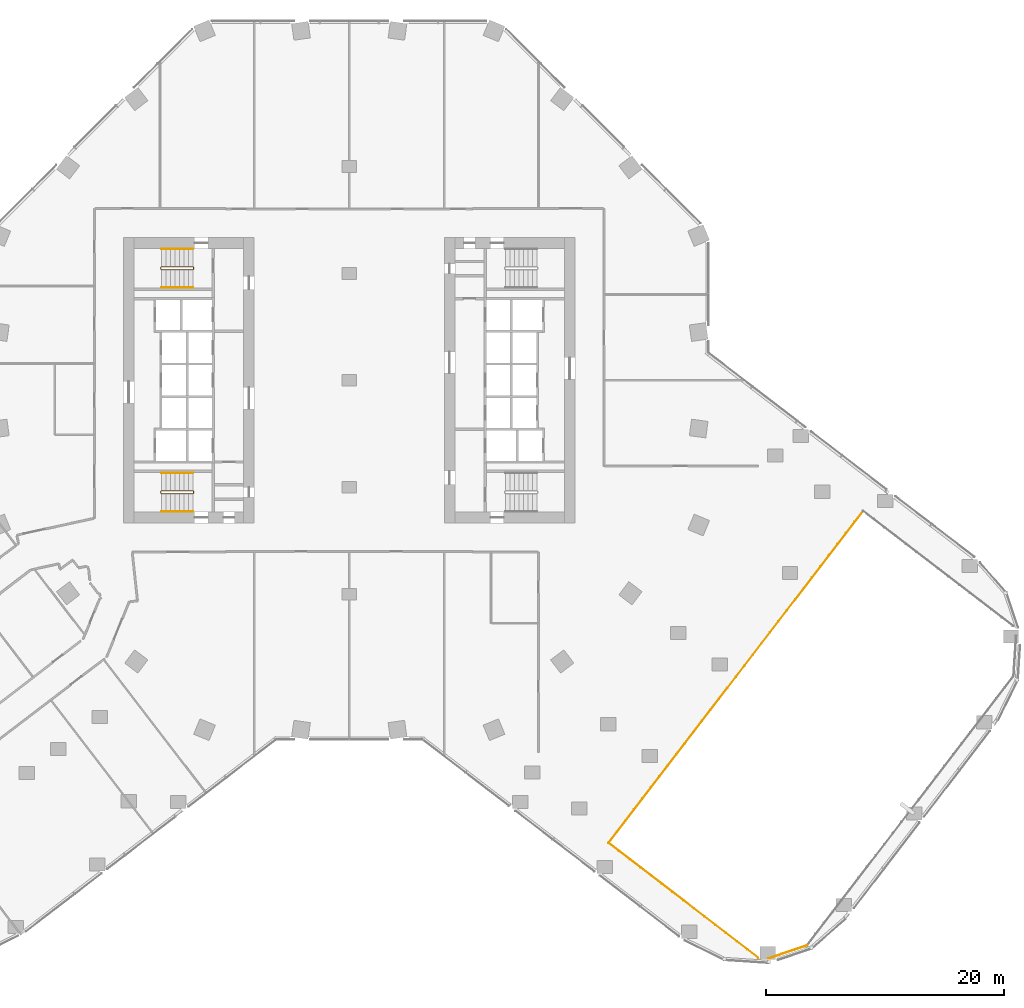
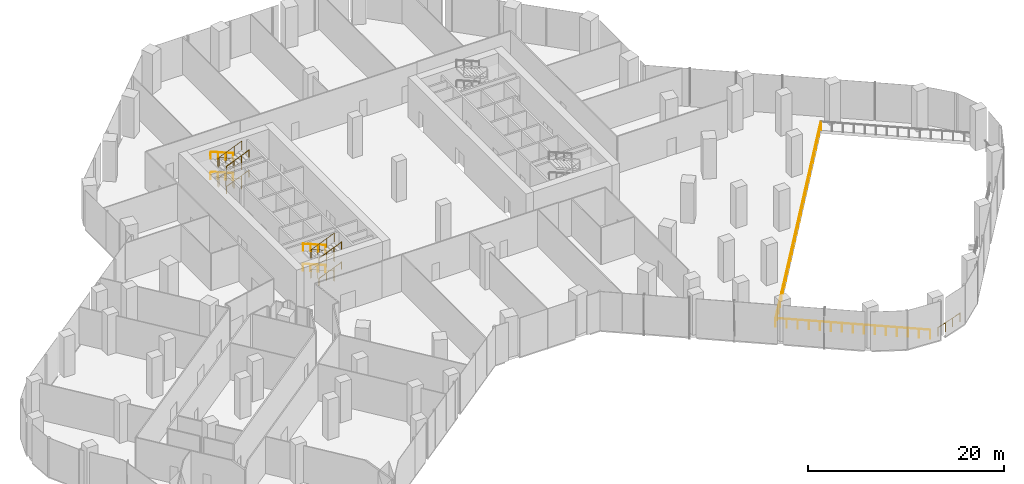
# One storey, part 27 of 29: 13 railings.
"""IFC4 building model written with IfcOpenShell, lengths in metres."""

from ifc_helpers import new_model, si_unit, direction, frame, origin, origin_2d, place, context, subcontext, project, spatial, circle, extrude, material, type_object, element, save


model = new_model("IFC4")

# Units and contexts
model_context = context("Model", 3, precision=1e-05, world=origin(), true_north=direction((0.0, 1.0)))
body_context = subcontext(model_context, "Body", "Model", "MODEL_VIEW")
ifc_project = project(units=[si_unit("LENGTHUNIT", "METRE"), si_unit("AREAUNIT", "SQUARE_METRE"), si_unit("VOLUMEUNIT", "CUBIC_METRE"), si_unit("PLANEANGLEUNIT", "RADIAN"), si_unit("MASSUNIT", "GRAM", prefix="KILO")], contexts=[model_context])

# Site, building, storey
site_placement = place(None, origin())
site = spatial("IfcSite", under=ifc_project, at=site_placement, CompositionType="ELEMENT")
building_placement = place(site_placement, origin())
building = spatial("IfcBuilding", under=site, at=building_placement, Name="Orlundy Tower", CompositionType="ELEMENT")
storey_placement = place(building_placement, frame((0.0, 0.0, 15.5)))
storey = spatial("IfcBuildingStorey", under=building, at=storey_placement, Name="L02", CompositionType="ELEMENT", Elevation=15.5)

# Railings
ifc_material_1 = material(Name="Steel and glass guard", Category="steel")
railing_type_1 = type_object("IfcRailingType", Name="Floor guard 1100", PredefinedType="GUARDRAIL", material=ifc_material_1)
railing_1_placement = place(storey_placement, frame((38.51123046875, -47.550537109375, 0.0)))
element("IfcRailing", 1, at=railing_1_placement, inside=storey, type_object=railing_type_1, Name="Guard", PredefinedType="GUARDRAIL", context=body_context, shape_type="SweptSolid", body=[
    extrude(circle(Radius=0.02392578125, at=origin_2d()), frame((0.0, 0.0, 1.076171875), z_axis=(-0.946954527969, -0.321367580753, 0.0), x_axis=(0.321367580753, -0.946954527969, 0.0)), (0.0, 0.0, 1.0), 3.402587890625),
    extrude(circle(Radius=0.02099609375, at=origin_2d()), origin(), (0.0, 0.0, 1.0), 1.052001953125),
    extrude(circle(Radius=0.02099609375, at=origin_2d()), frame((-1.073974609375, -0.364501953125, 0.0)), (0.0, 0.0, 1.0), 1.052001953125),
    extrude(circle(Radius=0.02099609375, at=origin_2d()), frame((-2.148193359375, -0.72900390625, 0.0)), (0.0, 0.0, 1.0), 1.052001953125),
    extrude(circle(Radius=0.02099609375, at=origin_2d()), frame((-3.22216796875, -1.093505859375, 0.0)), (0.0, 0.0, 1.0), 1.052001953125),
])
railing_2_placement = place(storey_placement, frame((34.407470703125, -48.586181640625, 0.0)))
element("IfcRailing", 2, at=railing_2_placement, inside=storey, type_object=railing_type_1, Name="Guard", PredefinedType="GUARDRAIL", context=body_context, shape_type="SweptSolid", body=[
    extrude(circle(Radius=0.02392578125, at=origin_2d()), frame((0.0, 0.0, 1.076171875), z_axis=(-0.793348363817, 0.608767914421, 0.0), x_axis=(-0.608767914421, -0.793348363817, 0.0)), (0.0, 0.0, 1.0), 15.874755859375),
    extrude(circle(Radius=0.02099609375, at=origin_2d()), origin(), (0.0, 0.0, 1.0), 1.052001953125),
    extrude(circle(Radius=0.02099609375, at=origin_2d()), frame((-0.899658203125, 0.690185546875, 0.0)), (0.0, 0.0, 1.0), 1.052001953125),
    extrude(circle(Radius=0.02099609375, at=origin_2d()), frame((-1.799072265625, 1.380615234375, 0.0)), (0.0, 0.0, 1.0), 1.052001953125),
    extrude(circle(Radius=0.02099609375, at=origin_2d()), frame((-2.69873046875, 2.07080078125, 0.0)), (0.0, 0.0, 1.0), 1.052001953125),
    extrude(circle(Radius=0.02099609375, at=origin_2d()), frame((-3.598388671875, 2.76123046875, 0.0)), (0.0, 0.0, 1.0), 1.052001953125),
    extrude(circle(Radius=0.02099609375, at=origin_2d()), frame((-4.498046875, 3.451416015625, 0.0)), (0.0, 0.0, 1.0), 1.052001953125),
    extrude(circle(Radius=0.02099609375, at=origin_2d()), frame((-5.3974609375, 4.141845703125, 0.0)), (0.0, 0.0, 1.0), 1.052001953125),
    extrude(circle(Radius=0.02099609375, at=origin_2d()), frame((-6.297119140625, 4.83203125, 0.0)), (0.0, 0.0, 1.0), 1.052001953125),
    extrude(circle(Radius=0.02099609375, at=origin_2d()), frame((-7.19677734375, 5.522216796875, 0.0)), (0.0, 0.0, 1.0), 1.052001953125),
    extrude(circle(Radius=0.02099609375, at=origin_2d()), frame((-8.09619140625, 6.212646484375, 0.0)), (0.0, 0.0, 1.0), 1.052001953125),
    extrude(circle(Radius=0.02099609375, at=origin_2d()), frame((-8.995849609375, 6.90283203125, 0.0)), (0.0, 0.0, 1.0), 1.052001953125),
    extrude(circle(Radius=0.02099609375, at=origin_2d()), frame((-9.8955078125, 7.59326171875, 0.0)), (0.0, 0.0, 1.0), 1.052001953125),
    extrude(circle(Radius=0.02099609375, at=origin_2d()), frame((-10.795166015625, 8.283447265625, 0.0)), (0.0, 0.0, 1.0), 1.052001953125),
    extrude(circle(Radius=0.02099609375, at=origin_2d()), frame((-11.694580078125, 8.973876953125, 0.0)), (0.0, 0.0, 1.0), 1.052001953125),
    extrude(circle(Radius=0.02099609375, at=origin_2d()), frame((-12.59423828125, 9.6640625, 0.0)), (0.0, 0.0, 1.0), 1.052001953125),
])
railing_3_placement = place(storey_placement, frame((21.813232421875, -38.922119140625, 0.0)))
element("IfcRailing", 3, at=railing_3_placement, inside=storey, type_object=railing_type_1, Name="Guard", PredefinedType="GUARDRAIL", context=body_context, shape_type="SweptSolid", body=[
    extrude(circle(Radius=0.02392578125, at=origin_2d()), frame((0.0, 0.0, 1.076171875), z_axis=(0.608762749473, 0.793352327061, 0.0), x_axis=(-0.793352327061, 0.608762749473, 0.0)), (0.0, 0.0, 1.0), 35.199951171875),
    extrude(circle(Radius=0.02099609375, at=origin_2d()), origin(), (0.0, 0.0, 1.0), 1.052001953125),
    extrude(circle(Radius=0.02099609375, at=origin_2d()), frame((0.71435546875, 0.930908203125, 0.0)), (0.0, 0.0, 1.0), 1.052001953125),
    extrude(circle(Radius=0.02099609375, at=origin_2d()), frame((1.428466796875, 1.86181640625, 0.0)), (0.0, 0.0, 1.0), 1.052001953125),
    extrude(circle(Radius=0.02099609375, at=origin_2d()), frame((2.142822265625, 2.79248046875, 0.0)), (0.0, 0.0, 1.0), 1.052001953125),
    extrude(circle(Radius=0.02099609375, at=origin_2d()), frame((2.857177734375, 3.723388671875, 0.0)), (0.0, 0.0, 1.0), 1.052001953125),
    extrude(circle(Radius=0.02099609375, at=origin_2d()), frame((3.5712890625, 4.654296875, 0.0)), (0.0, 0.0, 1.0), 1.052001953125),
    extrude(circle(Radius=0.02099609375, at=origin_2d()), frame((4.28564453125, 5.585205078125, 0.0)), (0.0, 0.0, 1.0), 1.052001953125),
    extrude(circle(Radius=0.02099609375, at=origin_2d()), frame((5.0, 6.51611328125, 0.0)), (0.0, 0.0, 1.0), 1.052001953125),
    extrude(circle(Radius=0.02099609375, at=origin_2d()), frame((5.71435546875, 7.447021484375, 0.0)), (0.0, 0.0, 1.0), 1.052001953125),
    extrude(circle(Radius=0.02099609375, at=origin_2d()), frame((6.428466796875, 8.3779296875, 0.0)), (0.0, 0.0, 1.0), 1.052001953125),
    extrude(circle(Radius=0.02099609375, at=origin_2d()), frame((7.142822265625, 9.30859375, 0.0)), (0.0, 0.0, 1.0), 1.052001953125),
    extrude(circle(Radius=0.02099609375, at=origin_2d()), frame((7.857177734375, 10.239501953125, 0.0)), (0.0, 0.0, 1.0), 1.052001953125),
    extrude(circle(Radius=0.02099609375, at=origin_2d()), frame((8.5712890625, 11.17041015625, 0.0)), (0.0, 0.0, 1.0), 1.052001953125),
    extrude(circle(Radius=0.02099609375, at=origin_2d()), frame((9.28564453125, 12.101318359375, 0.0)), (0.0, 0.0, 1.0), 1.052001953125),
    extrude(circle(Radius=0.02099609375, at=origin_2d()), frame((10.0, 13.0322265625, 0.0)), (0.0, 0.0, 1.0), 1.052001953125),
    extrude(circle(Radius=0.02099609375, at=origin_2d()), frame((10.71435546875, 13.962890625, 0.0)), (0.0, 0.0, 1.0), 1.052001953125),
    extrude(circle(Radius=0.02099609375, at=origin_2d()), frame((11.428466796875, 14.893798828125, 0.0)), (0.0, 0.0, 1.0), 1.052001953125),
    extrude(circle(Radius=0.02099609375, at=origin_2d()), frame((12.142822265625, 15.82470703125, 0.0)), (0.0, 0.0, 1.0), 1.052001953125),
    extrude(circle(Radius=0.02099609375, at=origin_2d()), frame((12.857177734375, 16.755615234375, 0.0)), (0.0, 0.0, 1.0), 1.052001953125),
    extrude(circle(Radius=0.02099609375, at=origin_2d()), frame((13.5712890625, 17.6865234375, 0.0)), (0.0, 0.0, 1.0), 1.052001953125),
    extrude(circle(Radius=0.02099609375, at=origin_2d()), frame((14.28564453125, 18.617431640625, 0.0)), (0.0, 0.0, 1.0), 1.052001953125),
    extrude(circle(Radius=0.02099609375, at=origin_2d()), frame((15.0, 19.54833984375, 0.0)), (0.0, 0.0, 1.0), 1.052001953125),
    extrude(circle(Radius=0.02099609375, at=origin_2d()), frame((15.714111328125, 20.47900390625, 0.0)), (0.0, 0.0, 1.0), 1.052001953125),
    extrude(circle(Radius=0.02099609375, at=origin_2d()), frame((16.428466796875, 21.409912109375, 0.0)), (0.0, 0.0, 1.0), 1.052001953125),
    extrude(circle(Radius=0.02099609375, at=origin_2d()), frame((17.142822265625, 22.3408203125, 0.0)), (0.0, 0.0, 1.0), 1.052001953125),
    extrude(circle(Radius=0.02099609375, at=origin_2d()), frame((17.85693359375, 23.271728515625, 0.0)), (0.0, 0.0, 1.0), 1.052001953125),
    extrude(circle(Radius=0.02099609375, at=origin_2d()), frame((18.5712890625, 24.20263671875, 0.0)), (0.0, 0.0, 1.0), 1.052001953125),
    extrude(circle(Radius=0.02099609375, at=origin_2d()), frame((19.28564453125, 25.13330078125, 0.0)), (0.0, 0.0, 1.0), 1.052001953125),
    extrude(circle(Radius=0.02099609375, at=origin_2d()), frame((20.0, 26.064208984375, 0.0)), (0.0, 0.0, 1.0), 1.052001953125),
    extrude(circle(Radius=0.02099609375, at=origin_2d()), frame((20.714111328125, 26.9951171875, 0.0)), (0.0, 0.0, 1.0), 1.052001953125),
    extrude(circle(Radius=0.02099609375, at=origin_2d()), frame((21.428466796875, 27.926025390625, 0.0)), (0.0, 0.0, 1.0), 1.052001953125),
])
ifc_material_2 = material(Name="Steel balustrade", Category="steel")
railing_type_2 = type_object("IfcRailingType", Name="Stair Guard 1100", PredefinedType="GUARDRAIL", material=ifc_material_2)
railing_4_placement = place(storey_placement, frame((-13.090087890625, 9.5, 0.0)))
element("IfcRailing", 4, at=railing_4_placement, inside=storey, type_object=railing_type_2, Name="L02 ST-W1 stair guard 1", PredefinedType="GUARDRAIL", context=body_context, shape_type="SweptSolid", body=[
    extrude(circle(Radius=0.02392578125, at=origin_2d()), frame((0.0, 0.0, 1.076171875), z_axis=(0.0, -1.0, 0.0), x_axis=(1.0, 0.0, 0.0)), (0.0, 0.0, 1.0), 0.14990234375),
    extrude(circle(Radius=0.02392578125, at=origin_2d()), frame((0.0, -0.14990234375, 1.076171875), z_axis=(-0.192591976565, 0.773200141208, 0.604210122556), x_axis=(-0.970351222016, -0.241699205484, 0.0)), (0.0, 0.0, 1.0), 0.258544921875),
    extrude(circle(Radius=0.02392578125, at=origin_2d()), frame((-0.0498046875, 0.050048828125, 1.232421875), z_axis=(-0.924874861033, 0.0, 0.380271602187), x_axis=(0.0, -1.0, 0.0)), (0.0, 0.0, 1.0), 2.876220703125),
    extrude(circle(Radius=0.02392578125, at=origin_2d()), frame((-2.7099609375, 0.050048828125, 2.326171875), z_axis=(-0.707106781187, -0.707106781187, 0.0), x_axis=(0.707106781187, -0.707106781187, 0.0)), (0.0, 0.0, 1.0), 0.07080078125),
    extrude(circle(Radius=0.02392578125, at=origin_2d()), frame((-2.760009765625, 0.0, 2.326171875), z_axis=(0.0, -1.0, 0.0), x_axis=(1.0, 0.0, 0.0)), (0.0, 0.0, 1.0), 0.14990234375),
    extrude(circle(Radius=0.02392578125, at=origin_2d()), frame((-2.760009765625, -0.14990234375, 2.326171875), z_axis=(0.29177245553, -0.29177245553, 0.91089937336), x_axis=(0.707106781187, 0.707106781187, 0.0)), (0.0, 0.0, 1.0), 0.171630859375),
    extrude(circle(Radius=0.02392578125, at=origin_2d()), frame((-2.7099609375, -0.199951171875, 2.482421875), z_axis=(0.924874861033, 0.0, 0.380271602187), x_axis=(0.0, 1.0, 0.0)), (0.0, 0.0, 1.0), 2.876220703125),
    extrude(circle(Radius=0.02392578125, at=origin_2d()), frame((-0.0498046875, -0.199951171875, 3.576171875), z_axis=(0.241699205484, 0.970351222016, 0.0), x_axis=(-0.970351222016, 0.241699205484, 0.0)), (0.0, 0.0, 1.0), 0.2060546875),
    extrude(circle(Radius=0.02392578125, at=origin_2d()), frame((0.0, 0.0, 3.576171875), z_axis=(0.0, -1.0, 0.0), x_axis=(1.0, 0.0, 0.0)), (0.0, 0.0, 1.0), 0.14990234375),
    extrude(circle(Radius=0.02392578125, at=origin_2d()), frame((0.0, -0.14990234375, 3.576171875), z_axis=(-0.192591976565, 0.773200141208, 0.604210122556), x_axis=(-0.970351222016, -0.241699205484, 0.0)), (0.0, 0.0, 1.0), 0.258544921875),
    extrude(circle(Radius=0.02392578125, at=origin_2d()), frame((-0.0498046875, 0.050048828125, 3.732421875), z_axis=(-0.924874861033, 0.0, 0.380271602187), x_axis=(0.0, -1.0, 0.0)), (0.0, 0.0, 1.0), 2.876220703125),
    extrude(circle(Radius=0.02392578125, at=origin_2d()), frame((-2.7099609375, 0.050048828125, 4.826171875), z_axis=(-0.707106781187, -0.707106781187, 0.0), x_axis=(0.707106781187, -0.707106781187, 0.0)), (0.0, 0.0, 1.0), 0.07080078125),
    extrude(circle(Radius=0.02392578125, at=origin_2d()), frame((-2.760009765625, 0.0, 4.826171875), z_axis=(0.0, -1.0, 0.0), x_axis=(1.0, 0.0, 0.0)), (0.0, 0.0, 1.0), 0.14990234375),
    extrude(circle(Radius=0.02392578125, at=origin_2d()), frame((-2.760009765625, -0.14990234375, 4.826171875), z_axis=(0.29177245553, -0.29177245553, 0.91089937336), x_axis=(0.707106781187, 0.707106781187, 0.0)), (0.0, 0.0, 1.0), 0.171630859375),
    extrude(circle(Radius=0.02392578125, at=origin_2d()), frame((-2.7099609375, -0.199951171875, 4.982421875), z_axis=(0.924874861033, 0.0, 0.380271602187), x_axis=(0.0, 1.0, 0.0)), (0.0, 0.0, 1.0), 2.876220703125),
    extrude(circle(Radius=0.02099609375, at=origin_2d()), origin(), (0.0, 0.0, 1.0), 1.052001953125),
    extrude(circle(Radius=0.02099609375, at=origin_2d()), frame((0.0, -0.14990234375, 0.0)), (0.0, 0.0, 1.0), 1.052001953125),
    extrude(circle(Radius=0.02099609375, at=origin_2d()), frame((-0.0498046875, 0.050048828125, 0.15625)), (0.0, 0.0, 1.0), 1.052001953125),
    extrude(circle(Radius=0.02099609375, at=origin_2d()), frame((-0.9365234375, 0.050048828125, 0.520751953125)), (0.0, 0.0, 1.0), 1.052001953125),
    extrude(circle(Radius=0.02099609375, at=origin_2d()), frame((-1.8232421875, 0.050048828125, 0.885498046875)), (0.0, 0.0, 1.0), 1.052001953125),
    extrude(circle(Radius=0.02099609375, at=origin_2d()), frame((-2.7099609375, 0.050048828125, 1.25)), (0.0, 0.0, 1.0), 1.052001953125),
    extrude(circle(Radius=0.02099609375, at=origin_2d()), frame((-2.760009765625, 0.0, 1.25)), (0.0, 0.0, 1.0), 1.052001953125),
    extrude(circle(Radius=0.02099609375, at=origin_2d()), frame((-2.760009765625, -0.14990234375, 1.25)), (0.0, 0.0, 1.0), 1.052001953125),
    extrude(circle(Radius=0.02099609375, at=origin_2d()), frame((-2.7099609375, -0.199951171875, 1.40625)), (0.0, 0.0, 1.0), 1.052001953125),
    extrude(circle(Radius=0.02099609375, at=origin_2d()), frame((-1.8232421875, -0.199951171875, 1.770751953125)), (0.0, 0.0, 1.0), 1.052001953125),
    extrude(circle(Radius=0.02099609375, at=origin_2d()), frame((-0.9365234375, -0.199951171875, 2.135498046875)), (0.0, 0.0, 1.0), 1.052001953125),
    extrude(circle(Radius=0.02099609375, at=origin_2d()), frame((-0.0498046875, -0.199951171875, 2.5)), (0.0, 0.0, 1.0), 1.052001953125),
    extrude(circle(Radius=0.02099609375, at=origin_2d()), frame((0.0, 0.0, 2.5)), (0.0, 0.0, 1.0), 1.052001953125),
    extrude(circle(Radius=0.02099609375, at=origin_2d()), frame((0.0, -0.14990234375, 2.5)), (0.0, 0.0, 1.0), 1.052001953125),
    extrude(circle(Radius=0.02099609375, at=origin_2d()), frame((-0.0498046875, 0.050048828125, 2.65625)), (0.0, 0.0, 1.0), 1.052001953125),
    extrude(circle(Radius=0.02099609375, at=origin_2d()), frame((-0.9365234375, 0.050048828125, 3.020751953125)), (0.0, 0.0, 1.0), 1.052001953125),
    extrude(circle(Radius=0.02099609375, at=origin_2d()), frame((-1.8232421875, 0.050048828125, 3.385498046875)), (0.0, 0.0, 1.0), 1.052001953125),
    extrude(circle(Radius=0.02099609375, at=origin_2d()), frame((-2.7099609375, 0.050048828125, 3.75)), (0.0, 0.0, 1.0), 1.052001953125),
    extrude(circle(Radius=0.02099609375, at=origin_2d()), frame((-2.760009765625, 0.0, 3.75)), (0.0, 0.0, 1.0), 1.052001953125),
    extrude(circle(Radius=0.02099609375, at=origin_2d()), frame((-2.760009765625, -0.14990234375, 3.75)), (0.0, 0.0, 1.0), 1.052001953125),
    extrude(circle(Radius=0.02099609375, at=origin_2d()), frame((-2.7099609375, -0.199951171875, 3.90625)), (0.0, 0.0, 1.0), 1.052001953125),
    extrude(circle(Radius=0.02099609375, at=origin_2d()), frame((-1.8232421875, -0.199951171875, 4.270751953125)), (0.0, 0.0, 1.0), 1.052001953125),
    extrude(circle(Radius=0.02099609375, at=origin_2d()), frame((-0.9365234375, -0.199951171875, 4.635498046875)), (0.0, 0.0, 1.0), 1.052001953125),
    extrude(circle(Radius=0.02099609375, at=origin_2d()), frame((-0.0498046875, -0.199951171875, 5.0)), (0.0, 0.0, 1.0), 1.052001953125),
])
railing_5_placement = place(storey_placement, frame((-13.090087890625, -9.35009765625, 0.0)))
element("IfcRailing", 5, at=railing_5_placement, inside=storey, type_object=railing_type_2, Name="L02 ST-W2 stair guard 1", PredefinedType="GUARDRAIL", context=body_context, shape_type="SweptSolid", body=[
    extrude(circle(Radius=0.02392578125, at=origin_2d()), frame((0.0, 0.0, 1.076171875), z_axis=(0.0, -1.0, 0.0), x_axis=(1.0, 0.0, 0.0)), (0.0, 0.0, 1.0), 0.14990234375),
    extrude(circle(Radius=0.02392578125, at=origin_2d()), frame((0.0, -0.14990234375, 1.076171875), z_axis=(-0.192591976565, 0.773200141208, 0.604210122556), x_axis=(-0.970351222016, -0.241699205484, 0.0)), (0.0, 0.0, 1.0), 0.258544921875),
    extrude(circle(Radius=0.02392578125, at=origin_2d()), frame((-0.0498046875, 0.050048828125, 1.232421875), z_axis=(-0.924874861033, 0.0, 0.380271602187), x_axis=(0.0, -1.0, 0.0)), (0.0, 0.0, 1.0), 2.876220703125),
    extrude(circle(Radius=0.02392578125, at=origin_2d()), frame((-2.7099609375, 0.050048828125, 2.326171875), z_axis=(-0.707106781187, -0.707106781187, 0.0), x_axis=(0.707106781187, -0.707106781187, 0.0)), (0.0, 0.0, 1.0), 0.07080078125),
    extrude(circle(Radius=0.02392578125, at=origin_2d()), frame((-2.760009765625, 0.0, 2.326171875), z_axis=(0.0, -1.0, 0.0), x_axis=(1.0, 0.0, 0.0)), (0.0, 0.0, 1.0), 0.14990234375),
    extrude(circle(Radius=0.02392578125, at=origin_2d()), frame((-2.760009765625, -0.14990234375, 2.326171875), z_axis=(0.29177245553, -0.29177245553, 0.91089937336), x_axis=(0.707106781187, 0.707106781187, 0.0)), (0.0, 0.0, 1.0), 0.171630859375),
    extrude(circle(Radius=0.02392578125, at=origin_2d()), frame((-2.7099609375, -0.199951171875, 2.482421875), z_axis=(0.924874861033, 0.0, 0.380271602187), x_axis=(0.0, 1.0, 0.0)), (0.0, 0.0, 1.0), 2.876220703125),
    extrude(circle(Radius=0.02392578125, at=origin_2d()), frame((-0.0498046875, -0.199951171875, 3.576171875), z_axis=(0.241699205484, 0.970351222016, 0.0), x_axis=(-0.970351222016, 0.241699205484, 0.0)), (0.0, 0.0, 1.0), 0.2060546875),
    extrude(circle(Radius=0.02392578125, at=origin_2d()), frame((0.0, 0.0, 3.576171875), z_axis=(0.0, -1.0, 0.0), x_axis=(1.0, 0.0, 0.0)), (0.0, 0.0, 1.0), 0.14990234375),
    extrude(circle(Radius=0.02392578125, at=origin_2d()), frame((0.0, -0.14990234375, 3.576171875), z_axis=(-0.192591976565, 0.773200141208, 0.604210122556), x_axis=(-0.970351222016, -0.241699205484, 0.0)), (0.0, 0.0, 1.0), 0.258544921875),
    extrude(circle(Radius=0.02392578125, at=origin_2d()), frame((-0.0498046875, 0.050048828125, 3.732421875), z_axis=(-0.924874861033, 0.0, 0.380271602187), x_axis=(0.0, -1.0, 0.0)), (0.0, 0.0, 1.0), 2.876220703125),
    extrude(circle(Radius=0.02392578125, at=origin_2d()), frame((-2.7099609375, 0.050048828125, 4.826171875), z_axis=(-0.707106781187, -0.707106781187, 0.0), x_axis=(0.707106781187, -0.707106781187, 0.0)), (0.0, 0.0, 1.0), 0.07080078125),
    extrude(circle(Radius=0.02392578125, at=origin_2d()), frame((-2.760009765625, 0.0, 4.826171875), z_axis=(0.0, -1.0, 0.0), x_axis=(1.0, 0.0, 0.0)), (0.0, 0.0, 1.0), 0.14990234375),
    extrude(circle(Radius=0.02392578125, at=origin_2d()), frame((-2.760009765625, -0.14990234375, 4.826171875), z_axis=(0.29177245553, -0.29177245553, 0.91089937336), x_axis=(0.707106781187, 0.707106781187, 0.0)), (0.0, 0.0, 1.0), 0.171630859375),
    extrude(circle(Radius=0.02392578125, at=origin_2d()), frame((-2.7099609375, -0.199951171875, 4.982421875), z_axis=(0.924874861033, 0.0, 0.380271602187), x_axis=(0.0, 1.0, 0.0)), (0.0, 0.0, 1.0), 2.876220703125),
    extrude(circle(Radius=0.02099609375, at=origin_2d()), origin(), (0.0, 0.0, 1.0), 1.052001953125),
    extrude(circle(Radius=0.02099609375, at=origin_2d()), frame((0.0, -0.14990234375, 0.0)), (0.0, 0.0, 1.0), 1.052001953125),
    extrude(circle(Radius=0.02099609375, at=origin_2d()), frame((-0.0498046875, 0.050048828125, 0.15625)), (0.0, 0.0, 1.0), 1.052001953125),
    extrude(circle(Radius=0.02099609375, at=origin_2d()), frame((-0.9365234375, 0.050048828125, 0.520751953125)), (0.0, 0.0, 1.0), 1.052001953125),
    extrude(circle(Radius=0.02099609375, at=origin_2d()), frame((-1.8232421875, 0.050048828125, 0.885498046875)), (0.0, 0.0, 1.0), 1.052001953125),
    extrude(circle(Radius=0.02099609375, at=origin_2d()), frame((-2.7099609375, 0.050048828125, 1.25)), (0.0, 0.0, 1.0), 1.052001953125),
    extrude(circle(Radius=0.02099609375, at=origin_2d()), frame((-2.760009765625, 0.0, 1.25)), (0.0, 0.0, 1.0), 1.052001953125),
    extrude(circle(Radius=0.02099609375, at=origin_2d()), frame((-2.760009765625, -0.14990234375, 1.25)), (0.0, 0.0, 1.0), 1.052001953125),
    extrude(circle(Radius=0.02099609375, at=origin_2d()), frame((-2.7099609375, -0.199951171875, 1.40625)), (0.0, 0.0, 1.0), 1.052001953125),
    extrude(circle(Radius=0.02099609375, at=origin_2d()), frame((-1.8232421875, -0.199951171875, 1.770751953125)), (0.0, 0.0, 1.0), 1.052001953125),
    extrude(circle(Radius=0.02099609375, at=origin_2d()), frame((-0.9365234375, -0.199951171875, 2.135498046875)), (0.0, 0.0, 1.0), 1.052001953125),
    extrude(circle(Radius=0.02099609375, at=origin_2d()), frame((-0.0498046875, -0.199951171875, 2.5)), (0.0, 0.0, 1.0), 1.052001953125),
    extrude(circle(Radius=0.02099609375, at=origin_2d()), frame((0.0, 0.0, 2.5)), (0.0, 0.0, 1.0), 1.052001953125),
    extrude(circle(Radius=0.02099609375, at=origin_2d()), frame((0.0, -0.14990234375, 2.5)), (0.0, 0.0, 1.0), 1.052001953125),
    extrude(circle(Radius=0.02099609375, at=origin_2d()), frame((-0.0498046875, 0.050048828125, 2.65625)), (0.0, 0.0, 1.0), 1.052001953125),
    extrude(circle(Radius=0.02099609375, at=origin_2d()), frame((-0.9365234375, 0.050048828125, 3.020751953125)), (0.0, 0.0, 1.0), 1.052001953125),
    extrude(circle(Radius=0.02099609375, at=origin_2d()), frame((-1.8232421875, 0.050048828125, 3.385498046875)), (0.0, 0.0, 1.0), 1.052001953125),
    extrude(circle(Radius=0.02099609375, at=origin_2d()), frame((-2.7099609375, 0.050048828125, 3.75)), (0.0, 0.0, 1.0), 1.052001953125),
    extrude(circle(Radius=0.02099609375, at=origin_2d()), frame((-2.760009765625, 0.0, 3.75)), (0.0, 0.0, 1.0), 1.052001953125),
    extrude(circle(Radius=0.02099609375, at=origin_2d()), frame((-2.760009765625, -0.14990234375, 3.75)), (0.0, 0.0, 1.0), 1.052001953125),
    extrude(circle(Radius=0.02099609375, at=origin_2d()), frame((-2.7099609375, -0.199951171875, 3.90625)), (0.0, 0.0, 1.0), 1.052001953125),
    extrude(circle(Radius=0.02099609375, at=origin_2d()), frame((-1.8232421875, -0.199951171875, 4.270751953125)), (0.0, 0.0, 1.0), 1.052001953125),
    extrude(circle(Radius=0.02099609375, at=origin_2d()), frame((-0.9365234375, -0.199951171875, 4.635498046875)), (0.0, 0.0, 1.0), 1.052001953125),
    extrude(circle(Radius=0.02099609375, at=origin_2d()), frame((-0.0498046875, -0.199951171875, 5.0)), (0.0, 0.0, 1.0), 1.052001953125),
])
ifc_material_3 = material(Name="Steel handrail", Category="steel")
railing_type_3 = type_object("IfcRailingType", Name="Stair Handrail 900", PredefinedType="HANDRAIL", material=ifc_material_3)
railing_6_placement = place(storey_placement, frame((-13.139892578125, 11.050048828125, 0.15625)))
element("IfcRailing", 6, at=railing_6_placement, inside=storey, type_object=railing_type_3, Name="L02 ST-W1 stair handrail 1", PredefinedType="HANDRAIL", context=body_context, shape_type="SweptSolid", body=[
    extrude(circle(Radius=0.02392578125, at=origin_2d()), frame((0.0, 0.0, 0.8759765625), z_axis=(-0.924874861033, 0.0, 0.380271602187), x_axis=(0.0, -1.0, 0.0)), (0.0, 0.0, 1.0), 2.876220703125),
    extrude(circle(Radius=0.02099609375, at=origin_2d()), origin(), (0.0, 0.0, 1.0), 0.851806640625),
    extrude(circle(Radius=0.02099609375, at=origin_2d()), frame((-0.88671875, 0.0, 0.364501953125)), (0.0, 0.0, 1.0), 0.851806640625),
    extrude(circle(Radius=0.02099609375, at=origin_2d()), frame((-1.7734375, 0.0, 0.729248046875)), (0.0, 0.0, 1.0), 0.851806640625),
    extrude(circle(Radius=0.02099609375, at=origin_2d()), frame((-2.66015625, 0.0, 1.09375)), (0.0, 0.0, 1.0), 0.851806640625),
])
railing_7_placement = place(storey_placement, frame((-15.800048828125, 7.800048828125, 1.40625)))
element("IfcRailing", 7, at=railing_7_placement, inside=storey, type_object=railing_type_3, Name="L02 ST-W1 stair handrail 2", PredefinedType="HANDRAIL", context=body_context, shape_type="SweptSolid", body=[
    extrude(circle(Radius=0.02392578125, at=origin_2d()), frame((0.0, 0.0, 0.8759765625), z_axis=(0.924874861033, 0.0, 0.380271602187), x_axis=(0.0, 1.0, 0.0)), (0.0, 0.0, 1.0), 2.876220703125),
    extrude(circle(Radius=0.02099609375, at=origin_2d()), origin(), (0.0, 0.0, 1.0), 0.851806640625),
    extrude(circle(Radius=0.02099609375, at=origin_2d()), frame((0.88671875, 0.0, 0.364501953125)), (0.0, 0.0, 1.0), 0.851806640625),
    extrude(circle(Radius=0.02099609375, at=origin_2d()), frame((1.7734375, 0.0, 0.729248046875)), (0.0, 0.0, 1.0), 0.851806640625),
    extrude(circle(Radius=0.02099609375, at=origin_2d()), frame((2.66015625, 0.0, 1.09375)), (0.0, 0.0, 1.0), 0.851806640625),
])
railing_8_placement = place(storey_placement, frame((-13.139892578125, 11.050048828125, 2.65625)))
element("IfcRailing", 8, at=railing_8_placement, inside=storey, type_object=railing_type_3, Name="L02 ST-W1 stair handrail 3", PredefinedType="HANDRAIL", context=body_context, shape_type="SweptSolid", body=[
    extrude(circle(Radius=0.02392578125, at=origin_2d()), frame((0.0, 0.0, 0.8759765625), z_axis=(-0.924874861033, 0.0, 0.380271602187), x_axis=(0.0, -1.0, 0.0)), (0.0, 0.0, 1.0), 2.876220703125),
    extrude(circle(Radius=0.02099609375, at=origin_2d()), origin(), (0.0, 0.0, 1.0), 0.851806640625),
    extrude(circle(Radius=0.02099609375, at=origin_2d()), frame((-0.88671875, 0.0, 0.364501953125)), (0.0, 0.0, 1.0), 0.851806640625),
    extrude(circle(Radius=0.02099609375, at=origin_2d()), frame((-1.7734375, 0.0, 0.729248046875)), (0.0, 0.0, 1.0), 0.851806640625),
    extrude(circle(Radius=0.02099609375, at=origin_2d()), frame((-2.66015625, 0.0, 1.09375)), (0.0, 0.0, 1.0), 0.851806640625),
])
railing_9_placement = place(storey_placement, frame((-15.800048828125, 7.800048828125, 3.90625)))
element("IfcRailing", 9, at=railing_9_placement, inside=storey, type_object=railing_type_3, Name="L02 ST-W1 stair handrail 4", PredefinedType="HANDRAIL", context=body_context, shape_type="SweptSolid", body=[
    extrude(circle(Radius=0.02392578125, at=origin_2d()), frame((0.0, 0.0, 0.8759765625), z_axis=(0.924874861033, 0.0, 0.380271602187), x_axis=(0.0, 1.0, 0.0)), (0.0, 0.0, 1.0), 2.876220703125),
    extrude(circle(Radius=0.02099609375, at=origin_2d()), origin(), (0.0, 0.0, 1.0), 0.851806640625),
    extrude(circle(Radius=0.02099609375, at=origin_2d()), frame((0.88671875, 0.0, 0.364501953125)), (0.0, 0.0, 1.0), 0.851806640625),
    extrude(circle(Radius=0.02099609375, at=origin_2d()), frame((1.7734375, 0.0, 0.729248046875)), (0.0, 0.0, 1.0), 0.851806640625),
    extrude(circle(Radius=0.02099609375, at=origin_2d()), frame((2.66015625, 0.0, 1.09375)), (0.0, 0.0, 1.0), 0.851806640625),
])
railing_10_placement = place(storey_placement, frame((-13.139892578125, -7.800048828125, 0.15625)))
element("IfcRailing", 10, at=railing_10_placement, inside=storey, type_object=railing_type_3, Name="L02 ST-W2 stair handrail 1", PredefinedType="HANDRAIL", context=body_context, shape_type="SweptSolid", body=[
    extrude(circle(Radius=0.02392578125, at=origin_2d()), frame((0.0, 0.0, 0.8759765625), z_axis=(-0.924874861033, 0.0, 0.380271602187), x_axis=(0.0, -1.0, 0.0)), (0.0, 0.0, 1.0), 2.876220703125),
    extrude(circle(Radius=0.02099609375, at=origin_2d()), origin(), (0.0, 0.0, 1.0), 0.851806640625),
    extrude(circle(Radius=0.02099609375, at=origin_2d()), frame((-0.88671875, 0.0, 0.364501953125)), (0.0, 0.0, 1.0), 0.851806640625),
    extrude(circle(Radius=0.02099609375, at=origin_2d()), frame((-1.7734375, 0.0, 0.729248046875)), (0.0, 0.0, 1.0), 0.851806640625),
    extrude(circle(Radius=0.02099609375, at=origin_2d()), frame((-2.66015625, 0.0, 1.09375)), (0.0, 0.0, 1.0), 0.851806640625),
])
railing_11_placement = place(storey_placement, frame((-15.800048828125, -11.050048828125, 1.40625)))
element("IfcRailing", 11, at=railing_11_placement, inside=storey, type_object=railing_type_3, Name="L02 ST-W2 stair handrail 2", PredefinedType="HANDRAIL", context=body_context, shape_type="SweptSolid", body=[
    extrude(circle(Radius=0.02392578125, at=origin_2d()), frame((0.0, 0.0, 0.8759765625), z_axis=(0.924874861033, 0.0, 0.380271602187), x_axis=(0.0, 1.0, 0.0)), (0.0, 0.0, 1.0), 2.876220703125),
    extrude(circle(Radius=0.02099609375, at=origin_2d()), origin(), (0.0, 0.0, 1.0), 0.851806640625),
    extrude(circle(Radius=0.02099609375, at=origin_2d()), frame((0.88671875, 0.0, 0.364501953125)), (0.0, 0.0, 1.0), 0.851806640625),
    extrude(circle(Radius=0.02099609375, at=origin_2d()), frame((1.7734375, 0.0, 0.729248046875)), (0.0, 0.0, 1.0), 0.851806640625),
    extrude(circle(Radius=0.02099609375, at=origin_2d()), frame((2.66015625, 0.0, 1.09375)), (0.0, 0.0, 1.0), 0.851806640625),
])
railing_12_placement = place(storey_placement, frame((-13.139892578125, -7.800048828125, 2.65625)))
element("IfcRailing", 12, at=railing_12_placement, inside=storey, type_object=railing_type_3, Name="L02 ST-W2 stair handrail 3", PredefinedType="HANDRAIL", context=body_context, shape_type="SweptSolid", body=[
    extrude(circle(Radius=0.02392578125, at=origin_2d()), frame((0.0, 0.0, 0.8759765625), z_axis=(-0.924874861033, 0.0, 0.380271602187), x_axis=(0.0, -1.0, 0.0)), (0.0, 0.0, 1.0), 2.876220703125),
    extrude(circle(Radius=0.02099609375, at=origin_2d()), origin(), (0.0, 0.0, 1.0), 0.851806640625),
    extrude(circle(Radius=0.02099609375, at=origin_2d()), frame((-0.88671875, 0.0, 0.364501953125)), (0.0, 0.0, 1.0), 0.851806640625),
    extrude(circle(Radius=0.02099609375, at=origin_2d()), frame((-1.7734375, 0.0, 0.729248046875)), (0.0, 0.0, 1.0), 0.851806640625),
    extrude(circle(Radius=0.02099609375, at=origin_2d()), frame((-2.66015625, 0.0, 1.09375)), (0.0, 0.0, 1.0), 0.851806640625),
])
railing_13_placement = place(storey_placement, frame((-15.800048828125, -11.050048828125, 3.90625)))
element("IfcRailing", 13, at=railing_13_placement, inside=storey, type_object=railing_type_3, Name="L02 ST-W2 stair handrail 4", PredefinedType="HANDRAIL", context=body_context, shape_type="SweptSolid", body=[
    extrude(circle(Radius=0.02392578125, at=origin_2d()), frame((0.0, 0.0, 0.8759765625), z_axis=(0.924874861033, 0.0, 0.380271602187), x_axis=(0.0, 1.0, 0.0)), (0.0, 0.0, 1.0), 2.876220703125),
    extrude(circle(Radius=0.02099609375, at=origin_2d()), origin(), (0.0, 0.0, 1.0), 0.851806640625),
    extrude(circle(Radius=0.02099609375, at=origin_2d()), frame((0.88671875, 0.0, 0.364501953125)), (0.0, 0.0, 1.0), 0.851806640625),
    extrude(circle(Radius=0.02099609375, at=origin_2d()), frame((1.7734375, 0.0, 0.729248046875)), (0.0, 0.0, 1.0), 0.851806640625),
    extrude(circle(Radius=0.02099609375, at=origin_2d()), frame((2.66015625, 0.0, 1.09375)), (0.0, 0.0, 1.0), 0.851806640625),
])

save(model, "model.ifc")
